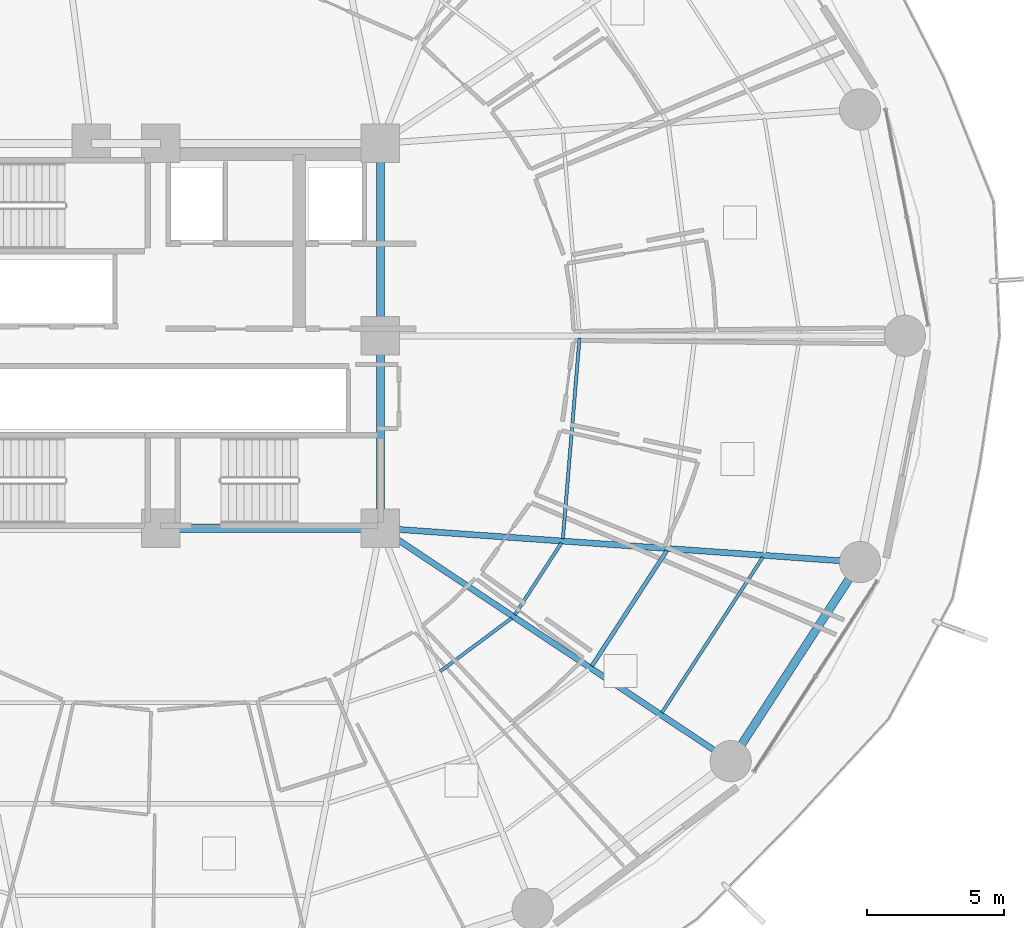
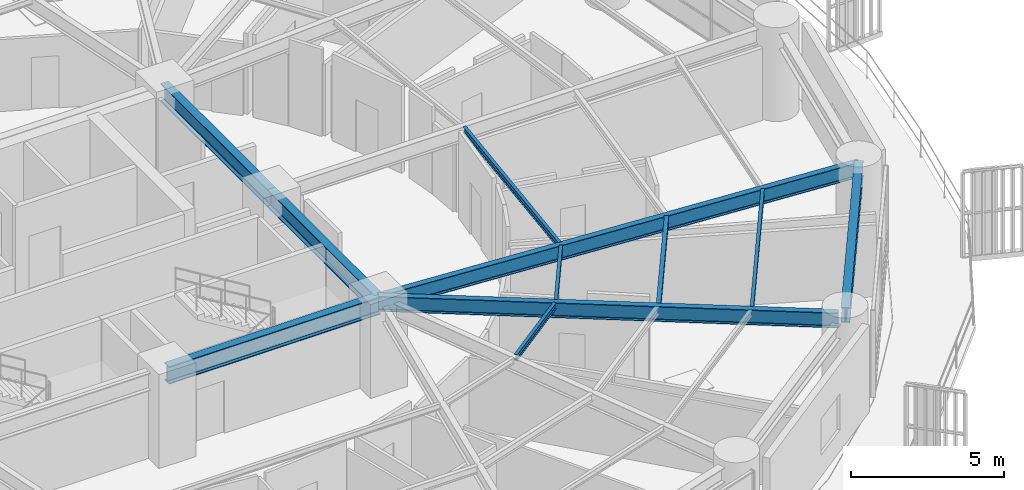
# One storey, part 11 of 33: 11 beams.
"""IFC4 building model written with IfcOpenShell, lengths in metres."""

from ifc_helpers import new_model, si_unit, direction, frame, origin, origin_2d, place, context, subcontext, project, spatial, i_section, extrude, material, material_profile, profile_set, type_object, element, save


model = new_model("IFC4")

# Units and contexts
model_context = context("Model", 3, precision=1e-05, world=origin(), true_north=direction((0.0, 1.0)))
body_context = subcontext(model_context, "Body", "Model", "MODEL_VIEW")
ifc_project = project(units=[si_unit("LENGTHUNIT", "METRE"), si_unit("AREAUNIT", "SQUARE_METRE"), si_unit("VOLUMEUNIT", "CUBIC_METRE"), si_unit("PLANEANGLEUNIT", "RADIAN"), si_unit("MASSUNIT", "GRAM", prefix="KILO")], contexts=[model_context])

# Site, building, storey
site_placement = place(None, origin())
site = spatial("IfcSite", under=ifc_project, at=site_placement, CompositionType="ELEMENT")
building_placement = place(site_placement, origin())
building = spatial("IfcBuilding", under=site, at=building_placement, Name="Kelanora Arch Commons", CompositionType="ELEMENT")
storey_placement = place(building_placement, frame((0.0, 0.0, 26.25)))
storey = spatial("IfcBuildingStorey", under=building, at=storey_placement, Name="L06", CompositionType="ELEMENT", Elevation=26.25)

# Beams
ifc_material = material(Name="Steel S355", Category="steel")
ifc_material_profile_1 = material_profile(ifc_material, i_section(OverallWidth=0.300048828125, OverallDepth=0.699951171875, WebThickness=0.01708984375, FlangeThickness=0.031982421875, FilletRadius=0.027099609375, at=origin_2d()), Name="HEB700")
ifc_profile_set_1 = profile_set([ifc_material_profile_1], Name="Steel S355")
beam_type_1 = type_object("IfcBeamType", Name="BM-CORE-HDR", PredefinedType="BEAM", material=ifc_profile_set_1)
beam_1_placement = place(storey_placement, frame((74.0, 51.0, 3.139892578125), z_axis=(1.0, 0.0, 0.0), x_axis=(0.0, 1.0, 0.0)))
element("IfcBeam", 1, at=beam_1_placement, inside=storey, type_object=beam_type_1, Name="Core Header Beam 02 L06", PredefinedType="BEAM", context=body_context, shape_type="SweptSolid", body=[
    extrude(i_section(OverallWidth=0.300048828125, OverallDepth=0.699951171875, WebThickness=0.01708984375, FlangeThickness=0.031982421875, FilletRadius=0.027099609375, at=origin_2d()), origin(), (0.0, 0.0, 1.0), 8.0),
])
for number, where, z_axis, x_axis, name in (
    (2, (82.0, 51.0, 3.139892578125), (0.0, 1.0, 0.0), (-1.0, 0.0, 0.0), "Core Header Beam 03 L06"),
    (3, (82.0, 58.0, 3.139892578125), (0.0, 1.0, 0.0), (-1.0, 0.0, 0.0), "Core Header Beam 04 L06"),
):
    element("IfcBeam", number, at=place(storey_placement, frame(where, z_axis=z_axis, x_axis=x_axis)), inside=storey, type_object=beam_type_1, Name=name, PredefinedType="BEAM", context=body_context, shape_type="SweptSolid", body=[
        extrude(i_section(OverallWidth=0.300048828125, OverallDepth=0.699951171875, WebThickness=0.01708984375, FlangeThickness=0.031982421875, FilletRadius=0.027099609375, at=origin_2d()), origin(), (0.0, 0.0, 1.0), 7.0),
    ])
ifc_material_profile_2 = material_profile(ifc_material, i_section(OverallWidth=0.14990234375, OverallDepth=0.300048828125, WebThickness=0.007080078125, FlangeThickness=0.0107421875, FilletRadius=0.014892578125, at=origin_2d()), Name="IPE300")
ifc_profile_set_2 = profile_set([ifc_material_profile_2], Name="Steel S355")
beam_type_2 = type_object("IfcBeamType", Name="BM-JST-01", PredefinedType="JOIST", material=ifc_profile_set_2)
beam_2_placement = place(storey_placement, frame((89.693115234375, 45.984375, 3.340087890625), z_axis=(0.544551588245, 0.838727350061, 0.0), x_axis=(-0.838727350061, 0.544551588245, 0.0)))
element("IfcBeam", 4, at=beam_2_placement, inside=storey, type_object=beam_type_2, Name="Secondary Chord Joist BJB-32 L06", PredefinedType="JOIST", context=body_context, shape_type="SweptSolid", body=[
    extrude(i_section(OverallWidth=0.14990234375, OverallDepth=0.300048828125, WebThickness=0.007080078125, FlangeThickness=0.0107421875, FilletRadius=0.014892578125, at=origin_2d()), origin(), (0.0, 0.0, 1.0), 5.010986328125),
])
ifc_material_profile_3 = material_profile(ifc_material, i_section(OverallWidth=0.1201171875, OverallDepth=0.239990234375, WebThickness=0.006103515625, FlangeThickness=0.009765625, FilletRadius=0.014892578125, at=origin_2d()), Name="IPE240")
ifc_profile_set_3 = profile_set([ifc_material_profile_3], Name="Steel S355")
beam_type_3 = type_object("IfcBeamType", Name="BM-JST-02", PredefinedType="JOIST", material=ifc_profile_set_3)
beam_3_placement = place(storey_placement, frame((84.17333984375, 45.786376953125, 3.3701171875), z_axis=(0.801513822608, 0.59797624716, 0.0), x_axis=(-0.59797624716, 0.801513822608, 0.0)))
element("IfcBeam", 5, at=beam_3_placement, inside=storey, type_object=beam_type_3, Name="Secondary Chord Joist BJA-30 L06", PredefinedType="JOIST", context=body_context, shape_type="SweptSolid", body=[
    extrude(i_section(OverallWidth=0.1201171875, OverallDepth=0.239990234375, WebThickness=0.006103515625, FlangeThickness=0.009765625, FilletRadius=0.014892578125, at=origin_2d()), origin(), (0.0, 0.0, 1.0), 3.245849609375),
])
beam_4_placement = place(storey_placement, frame((86.88916015625, 47.849609375, 3.3701171875), z_axis=(0.544591105858, 0.838701691557, 0.0), x_axis=(-0.838701691557, 0.544591105858, 0.0)))
element("IfcBeam", 6, at=beam_4_placement, inside=storey, type_object=beam_type_3, Name="Secondary Chord Joist BJA-32 L06", PredefinedType="JOIST", context=body_context, shape_type="SweptSolid", body=[
    extrude(i_section(OverallWidth=0.1201171875, OverallDepth=0.239990234375, WebThickness=0.006103515625, FlangeThickness=0.009765625, FilletRadius=0.014892578125, at=origin_2d()), origin(), (0.0, 0.0, 1.0), 3.111328125),
])
beam_5_placement = place(storey_placement, frame((92.241943359375, 44.288818359375, 3.3701171875), z_axis=(0.544550165372, 0.838728273873, 0.0), x_axis=(-0.838728273873, 0.544550165372, 0.0)))
element("IfcBeam", 7, at=beam_5_placement, inside=storey, type_object=beam_type_3, Name="Secondary Chord Joist BJC-32 L06", PredefinedType="JOIST", context=body_context, shape_type="SweptSolid", body=[
    extrude(i_section(OverallWidth=0.1201171875, OverallDepth=0.239990234375, WebThickness=0.006103515625, FlangeThickness=0.009765625, FilletRadius=0.014892578125, at=origin_2d()), origin(), (0.0, 0.0, 1.0), 6.738037109375),
])
beam_6_placement = place(storey_placement, frame((88.636962890625, 50.614990234375, 3.3701171875), z_axis=(0.082786209886, 0.996567330115, 0.0), x_axis=(-0.996567330115, 0.082786209886, 0.0)))
element("IfcBeam", 8, at=beam_6_placement, inside=storey, type_object=beam_type_3, Name="Secondary Chord Joist BJA-34 L06", PredefinedType="JOIST", context=body_context, shape_type="SweptSolid", body=[
    extrude(i_section(OverallWidth=0.1201171875, OverallDepth=0.239990234375, WebThickness=0.006103515625, FlangeThickness=0.009765625, FilletRadius=0.014892578125, at=origin_2d()), origin(), (0.0, 0.0, 1.0), 7.325439453125),
])
ifc_material_profile_4 = material_profile(ifc_material, i_section(OverallWidth=0.219970703125, OverallDepth=0.60009765625, WebThickness=0.011962890625, FlangeThickness=0.01904296875, FilletRadius=0.02392578125, at=origin_2d()), Name="IPE600")
ifc_profile_set_4 = profile_set([ifc_material_profile_4], Name="Steel S355")
beam_type_4 = type_object("IfcBeamType", Name="BM-RAD-Z1", PredefinedType="BEAM", material=ifc_profile_set_4)
beam_7_placement = place(storey_placement, frame((82.0, 51.0, 3.18994140625), z_axis=(0.832592623638, -0.553885839379, 0.0), x_axis=(0.553885839379, 0.832592623638, 0.0)))
element("IfcBeam", 9, at=beam_7_placement, inside=storey, type_object=beam_type_4, Name="Radial Floor Girder BR-32 L06", PredefinedType="BEAM", context=body_context, shape_type="SweptSolid", body=[
    extrude(i_section(OverallWidth=0.219970703125, OverallDepth=0.60009765625, WebThickness=0.011962890625, FlangeThickness=0.01904296875, FilletRadius=0.02392578125, at=origin_2d()), origin(), (0.0, 0.0, 1.0), 15.0869140625),
])
beam_8_placement = place(storey_placement, frame((82.0, 51.0, 3.18994140625), z_axis=(0.997500683472, -0.070656821848, 0.0), x_axis=(0.070656821848, 0.997500683472, 0.0)))
element("IfcBeam", 10, at=beam_8_placement, inside=storey, type_object=beam_type_4, Name="Radial Floor Girder BR-34 L06", PredefinedType="BEAM", context=body_context, shape_type="SweptSolid", body=[
    extrude(i_section(OverallWidth=0.219970703125, OverallDepth=0.60009765625, WebThickness=0.011962890625, FlangeThickness=0.01904296875, FilletRadius=0.02392578125, at=origin_2d()), origin(), (0.0, 0.0, 1.0), 17.49072265625),
])
ifc_material_profile_5 = material_profile(ifc_material, i_section(OverallWidth=0.300048828125, OverallDepth=0.60009765625, WebThickness=0.015380859375, FlangeThickness=0.030029296875, FilletRadius=0.027099609375, at=origin_2d()), Name="HEB600")
ifc_profile_set_5 = profile_set([ifc_material_profile_5], Name="Steel S355")
beam_type_5 = type_object("IfcBeamType", Name="BM-SPN-Z1", PredefinedType="SPANDREL", material=ifc_profile_set_5)
beam_9_placement = place(storey_placement, frame((94.8642578125, 42.706298828125, 3.18994140625), z_axis=(0.544583445345, 0.83870666568, 0.0), x_axis=(-0.83870666568, 0.544583445345, 0.0)))
element("IfcBeam", 11, at=beam_9_placement, inside=storey, type_object=beam_type_5, Name="Perimeter Spandrel Beam BS-32 L06", PredefinedType="SPANDREL", context=body_context, shape_type="SweptSolid", body=[
    extrude(i_section(OverallWidth=0.300048828125, OverallDepth=0.60009765625, WebThickness=0.015380859375, FlangeThickness=0.030029296875, FilletRadius=0.027099609375, at=origin_2d()), origin(), (0.0, 0.0, 1.0), 8.415283203125),
])

save(model, "model.ifc")
